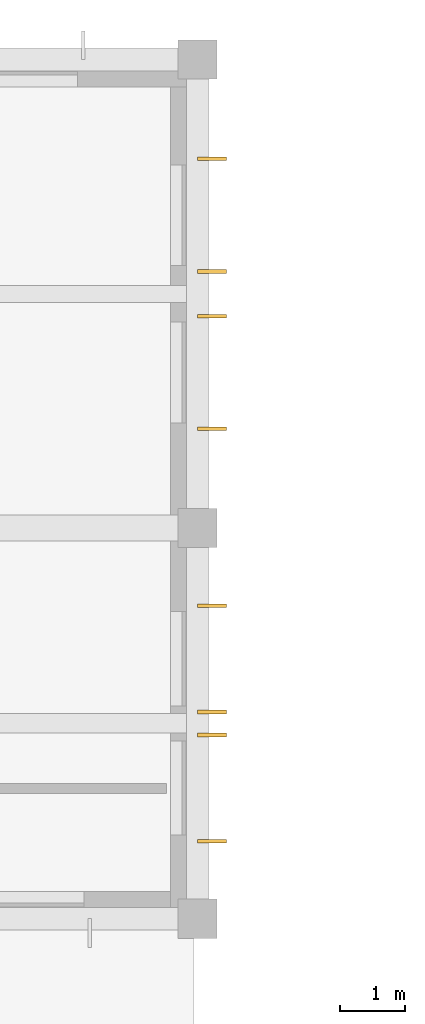
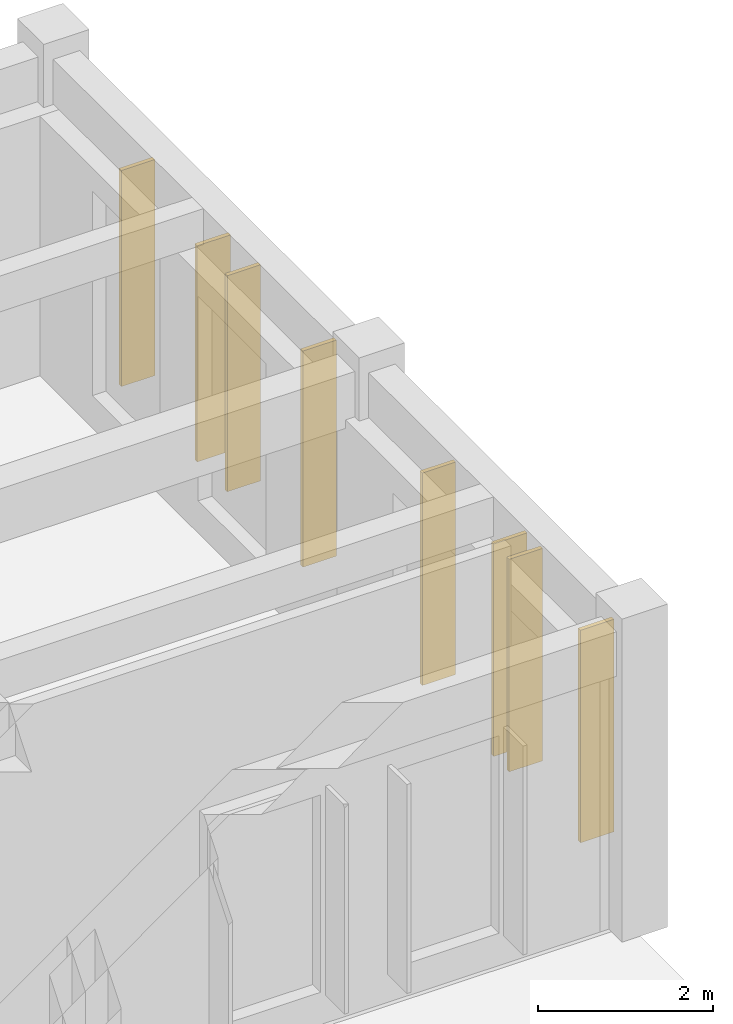
# One storey, part 41 of 43: 8 coverings.
"""IFC4 building model written with IfcOpenShell, lengths in metres."""

from ifc_helpers import new_model, si_unit, direction, frame, origin, place, context, subcontext, project, spatial, polyline, outline, extrude, material, layer, layer_set, type_object, element, save


model = new_model("IFC4")

# Units and contexts
model_context = context("Model", 3, precision=1e-05, world=origin(), true_north=direction((0.0, 1.0)))
body_context = subcontext(model_context, "Body", "Model", "MODEL_VIEW")
ifc_project = project(units=[si_unit("LENGTHUNIT", "METRE"), si_unit("AREAUNIT", "SQUARE_METRE"), si_unit("VOLUMEUNIT", "CUBIC_METRE"), si_unit("PLANEANGLEUNIT", "RADIAN"), si_unit("MASSUNIT", "GRAM", prefix="KILO")], contexts=[model_context])

# Site, building, storey
site_placement = place(None, origin())
site = spatial("IfcSite", under=ifc_project, at=site_placement, CompositionType="ELEMENT")
building_placement = place(site_placement, origin())
building = spatial("IfcBuilding", under=site, at=building_placement, Name="Alvorim Cloister Faculty of Sciences", CompositionType="ELEMENT")
storey_placement = place(building_placement, origin())
storey = spatial("IfcBuildingStorey", under=building, at=storey_placement, Name="L00", CompositionType="ELEMENT", Elevation=0.0)

# Coverings
ifc_material = material(Name="Anodised Aluminium Alloy 6063-T6", Category="aluminium")
ifc_layer = layer(ifc_material, 0.054931640625)
ifc_layer_set = layer_set([ifc_layer], Name="Anodised Aluminium Alloy 6063-T6")
covering_type = type_object("IfcCoveringType", Name="COV-SHD-FIN", PredefinedType="CLADDING", material=ifc_layer_set)
for number, where, z_axis, x_axis, name in (
    (1, (64.800048828125, 50.726806640625, 0.389892578125), (0.0, 0.0, 1.0), (1.0, 0.0, 0.0), "L00 Brise-Soleil Vertical Fin COV-FIN-00075"),
    (2, (64.800048828125, 52.456787109375, 0.389892578125), (0.0, 0.0, 1.0), (1.0, 0.0, 0.0), "L00 Brise-Soleil Vertical Fin COV-FIN-00076"),
    (3, (64.800048828125, 53.143310546875, 0.389892578125), (0.0, 0.0, 1.0), (1.0, 0.0, 0.0), "L00 Brise-Soleil Vertical Fin COV-FIN-00077"),
    (4, (64.800048828125, 54.873291015625, 0.389892578125), (0.0, 0.0, 1.0), (1.0, 0.0, 0.0), "L00 Brise-Soleil Vertical Fin COV-FIN-00078"),
):
    element("IfcCovering", number, at=place(storey_placement, frame(where, z_axis=z_axis, x_axis=x_axis)), inside=storey, type_object=covering_type, Name=name, PredefinedType="CLADDING", context=body_context, shape_type="SweptSolid", body=[
        extrude(outline(polyline([(0.0, 0.0), (0.43994140625, 0.0), (0.43994140625, 3.010009765625), (0.0, 3.010009765625), (0.0, 0.0)])), frame((0.0, 0.02734375, 0.0), z_axis=(0.0, -1.0, 0.0), x_axis=(1.0, 0.0, 0.0)), (0.0, 0.0, 1.0), 0.054931640625),
    ])
for number, where, z_axis, x_axis, name in (
    (5, (64.800048828125, 44.393310546875, 0.389892578125), (0.0, 0.0, 1.0), (1.0, 0.0, 0.0), "L00 Brise-Soleil Vertical Fin COV-FIN-00079"),
    (6, (64.800048828125, 46.023193359375, 0.389892578125), (0.0, 0.0, 1.0), (1.0, 0.0, 0.0), "L00 Brise-Soleil Vertical Fin COV-FIN-00080"),
    (7, (64.800048828125, 46.376708984375, 0.389892578125), (0.0, 0.0, 1.0), (1.0, 0.0, 0.0), "L00 Brise-Soleil Vertical Fin COV-FIN-00081"),
    (8, (64.800048828125, 48.006591796875, 0.389892578125), (0.0, 0.0, 1.0), (1.0, 0.0, 0.0), "L00 Brise-Soleil Vertical Fin COV-FIN-00082"),
):
    element("IfcCovering", number, at=place(storey_placement, frame(where, z_axis=z_axis, x_axis=x_axis)), inside=storey, type_object=covering_type, Name=name, PredefinedType="CLADDING", context=body_context, shape_type="SweptSolid", body=[
        extrude(outline(polyline([(0.0, 0.0), (0.43994140625, 0.0), (0.43994140625, 2.960205078125), (0.0, 2.960205078125), (0.0, 0.0)])), frame((0.0, 0.02734375, 0.0), z_axis=(0.0, -1.0, 0.0), x_axis=(1.0, 0.0, 0.0)), (0.0, 0.0, 1.0), 0.054931640625),
    ])

save(model, "model.ifc")
